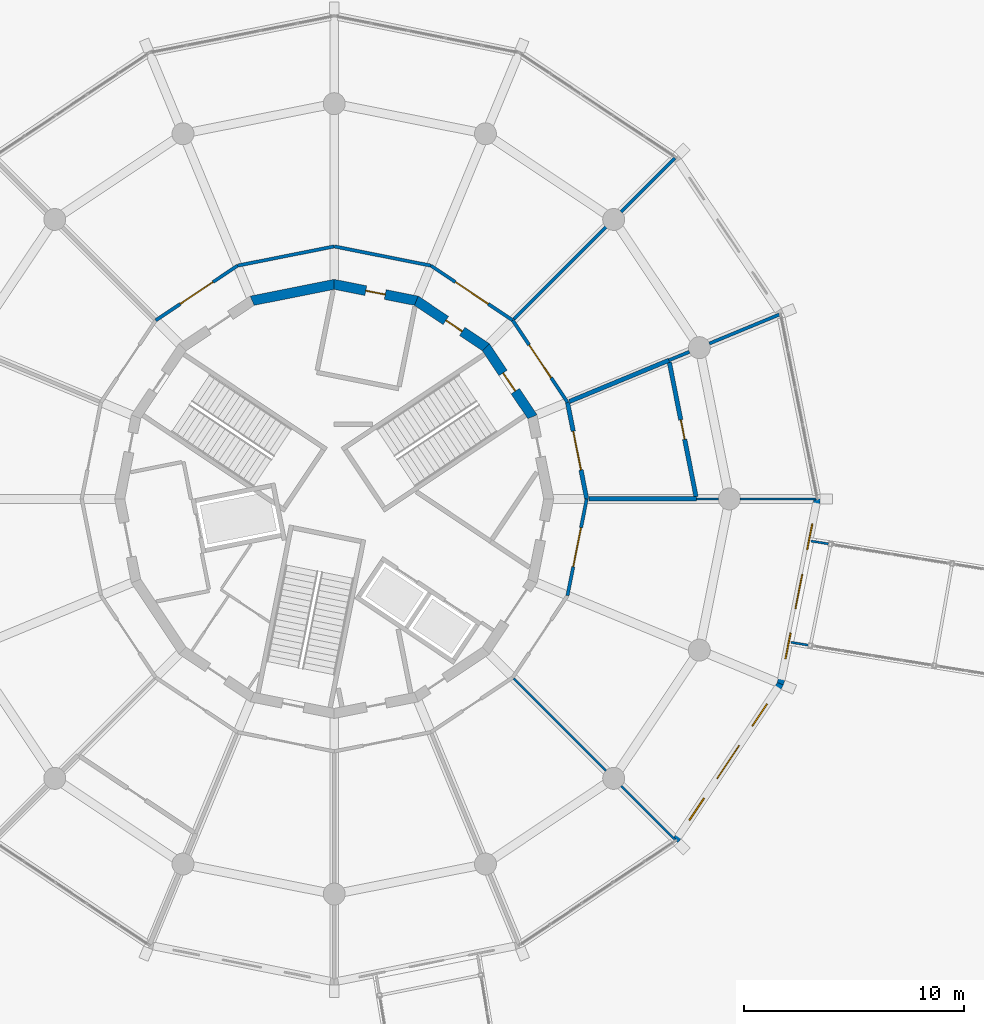
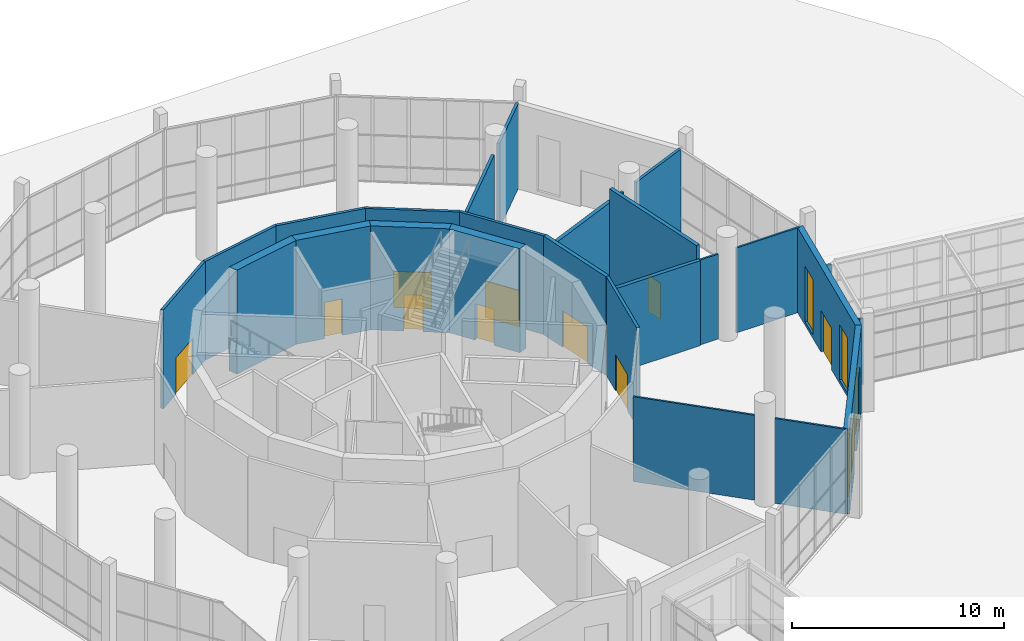
# One storey, part 165 of 226: 26 walls, 11 doors, 4 windows, 15 openings.
"""IFC4 building model written with IfcOpenShell, lengths in metres."""

from ifc_helpers import new_model, si_unit, direction, frame, frame_2d, origin, place, context, subcontext, project, spatial, polyline, rectangle, outline, extrude, material, layer, layer_set, type_object, element, fill, save


model = new_model("IFC4")

# Units and contexts
model_context = context("Model", 3, precision=1e-05, world=origin(), true_north=direction((0.0, 1.0)))
body_context = subcontext(model_context, "Body", "Model", "MODEL_VIEW")
ifc_project = project(units=[si_unit("LENGTHUNIT", "METRE"), si_unit("AREAUNIT", "SQUARE_METRE"), si_unit("VOLUMEUNIT", "CUBIC_METRE"), si_unit("PLANEANGLEUNIT", "RADIAN"), si_unit("MASSUNIT", "GRAM", prefix="KILO")], contexts=[model_context])

# Site, building, storey
site_placement = place(None, origin())
site = spatial("IfcSite", under=ifc_project, at=site_placement, CompositionType="ELEMENT")
building_placement = place(site_placement, origin())
building = spatial("IfcBuilding", under=site, at=building_placement, Name="Ceibo Conservatory and Research Tower", CompositionType="ELEMENT")
storey_placement = place(building_placement, origin())
storey = spatial("IfcBuildingStorey", under=building, at=storey_placement, Name="L00", CompositionType="ELEMENT", Elevation=0.0)

# Wall, opening, door
ifc_material_1 = material(Name="Masonry blockwork", Category="masonry")
ifc_layer_1 = layer(ifc_material_1, 0.199951171875)
ifc_layer_set_1 = layer_set([ifc_layer_1], Name="Masonry blockwork")
wall_type_1 = type_object("IfcWallType", Name="Compartment wall 200 EI 120", PredefinedType="SOLIDWALL", material=ifc_layer_set_1)
wall_1_placement = place(storey_placement, frame((58.62451171875, 124.40087890625, 0.0), z_axis=(0.0, 0.0, 1.0), x_axis=(0.195111553866, -0.980781056887, 0.0)))
wall_1 = element("IfcWall", 1, at=wall_1_placement, inside=storey, type_object=wall_type_1, Name="Partition 00.001", PredefinedType="SOLIDWALL", context=body_context, shape_type="SweptSolid", body=[
    extrude(rectangle(XDim=4.487060546875, YDim=0.199951171875, at=frame_2d((2.24365234375, 0.0))), origin(), (0.0, 0.0, 1.0), 5.699951171875),
])
opening_1_placement = place(wall_1_placement, frame((1.34375, 0.0, 0.0)))
opening_1 = element("IfcOpeningElement", 2, at=opening_1_placement, cuts=wall_1, Name="Opening T00-03", PredefinedType="OPENING", context=body_context, shape_type="SweptSolid", body=[
    extrude(rectangle(XDim=1.800048828125, YDim=2.10009765625, at=frame_2d((0.89990234375, 1.050048828125))), frame((0.0, 0.10986328125, 0.0), z_axis=(0.0, -1.0, 0.0), x_axis=(1.0, 0.0, 0.0)), (0.0, 0.0, 1.0), 0.219970703125),
])
ifc_material_2 = material(Name="Galvanised sheet steel DX51D", Category="steel")
door_type_1 = type_object("IfcDoorType", Name="Door plant double 1800x2100 EI 120", OperationType="DOUBLE_DOOR_SINGLE_SWING", PredefinedType="DOOR", material=ifc_material_2)
door_1_placement = place(opening_1_placement, origin())
door_1 = element("IfcDoor", 3, at=door_1_placement, inside=storey, type_object=door_type_1, Name="Door T00-03", OperationType="DOUBLE_DOOR_SINGLE_SWING", OverallHeight=2.10009765625, OverallWidth=1.800048828125, PredefinedType="DOOR", context=body_context, shape_type="SweptSolid", body=[
    extrude(rectangle(XDim=1.800048828125, YDim=2.10009765625, at=frame_2d((0.89990234375, 1.050048828125))), frame((0.0, 0.02490234375, 0.0), z_axis=(0.0, -1.0, 0.0), x_axis=(1.0, 0.0, 0.0)), (0.0, 0.0, 1.0), 0.050048828125),
])
fill(opening_1, door_1)

# Wall
wall_2_placement = place(storey_placement, frame((59.596923828125, 120.0, 0.0), z_axis=(0.0, 0.0, 1.0), x_axis=(1.0, 0.0, 0.0)))
element("IfcWall", 4, at=wall_2_placement, inside=storey, type_object=wall_type_1, Name="Partition 00.017", PredefinedType="SOLIDWALL", context=body_context, shape_type="SweptSolid", body=[
    extrude(rectangle(XDim=4.903076171875, YDim=0.199951171875, at=frame_2d((2.45166015625, 0.0))), origin(), (0.0, 0.0, 1.0), 4.89990234375),
])

# Wall, opening, door
wall_3_placement = place(storey_placement, frame((63.262939453125, 126.21923828125, 0.0), z_axis=(0.0, 0.0, 1.0), x_axis=(0.195108457486, -0.98078167286, 0.0)))
wall_3 = element("IfcWall", 5, at=wall_3_placement, inside=storey, type_object=wall_type_1, Name="Partition 00.022", PredefinedType="SOLIDWALL", context=body_context, shape_type="SweptSolid", body=[
    extrude(rectangle(XDim=6.244140625, YDim=0.199951171875, at=frame_2d((3.1220703125, 0.0))), origin(), (0.0, 0.0, 1.0), 5.699951171875),
])
opening_2_placement = place(wall_3_placement, frame((2.672119140625, 0.0, 0.0)))
opening_2 = element("IfcOpeningElement", 6, at=opening_2_placement, cuts=wall_3, Name="Opening T00-04", PredefinedType="OPENING", context=body_context, shape_type="SweptSolid", body=[
    extrude(rectangle(XDim=0.89990234375, YDim=2.10009765625, at=frame_2d((0.449951171875, 1.050048828125))), frame((0.0, 0.10986328125, 0.0), z_axis=(0.0, -1.0, 0.0), x_axis=(1.0, 0.0, 0.0)), (0.0, 0.0, 1.0), 0.219970703125),
])
ifc_material_3 = material(Name="Solid timber", Category="wood")
door_type_2 = type_object("IfcDoorType", Name="Door single 900x2100 (right hand)", OperationType="SINGLE_SWING_RIGHT", PredefinedType="DOOR", material=ifc_material_3)
door_2_placement = place(opening_2_placement, origin())
door_2 = element("IfcDoor", 7, at=door_2_placement, inside=storey, type_object=door_type_2, Name="Door T00-04", OperationType="SINGLE_SWING_RIGHT", OverallHeight=2.10009765625, OverallWidth=0.89990234375, PredefinedType="DOOR", context=body_context, shape_type="SweptSolid", body=[
    extrude(rectangle(XDim=0.89990234375, YDim=2.10009765625, at=frame_2d((0.449951171875, 1.050048828125))), frame((0.0, 0.02490234375, 0.0), z_axis=(0.0, -1.0, 0.0), x_axis=(1.0, 0.0, 0.0)), (0.0, 0.0, 1.0), 0.050048828125),
])
fill(opening_2, door_2)

# Wall
wall_4_placement = place(storey_placement, frame((58.714111328125, 124.43798828125, 0.0), z_axis=(0.0, 0.0, 1.0), x_axis=(0.923885138475, 0.382669898091, 0.0)))
element("IfcWall", 8, at=wall_4_placement, inside=storey, type_object=wall_type_1, Name="Partition 00.023", PredefinedType="SOLIDWALL", context=body_context, shape_type="SweptSolid", body=[
    extrude(rectangle(XDim=4.903076171875, YDim=0.199951171875, at=frame_2d((2.45166015625, 0.0))), origin(), (0.0, 0.0, 1.0), 4.89990234375),
])

# Wall, opening, door
ifc_material_4 = material(Name="Concrete C40/50", Category="concrete")
ifc_layer_2 = layer(ifc_material_4, 0.449951171875)
ifc_layer_set_2 = layer_set([ifc_layer_2], Name="Concrete C40/50")
wall_type_2 = type_object("IfcWallType", Name="Core wall 450 C40", PredefinedType="SHEAR", material=ifc_layer_set_2)
wall_5_placement = place(storey_placement, frame((57.02685546875, 123.739013671875, 0.0), z_axis=(0.0, 0.0, 1.0), x_axis=(-0.555542277102, 0.83148829117, 0.0)))
wall_5 = element("IfcWall", 9, at=wall_5_placement, inside=storey, type_object=wall_type_2, Name="Core wall L00 02", PredefinedType="SHEAR", context=body_context, shape_type="SweptSolid", body=[
    extrude(outline(polyline([(-0.044677734375, -0.22509765625), (3.85693359375, -0.22509765625), (3.767578125, 0.22509765625), (0.044677734375, 0.22509765625), (-0.044677734375, -0.22509765625)])), origin(), (0.0, 0.0, 1.0), 6.0),
])
opening_3_placement = place(wall_5_placement, frame((1.40625, 0.0, 0.0)))
opening_3 = element("IfcOpeningElement", 10, at=opening_3_placement, cuts=wall_5, Name="Opening C00-01", PredefinedType="OPENING", context=body_context, shape_type="SweptSolid", body=[
    extrude(rectangle(XDim=1.0, YDim=2.10009765625, at=frame_2d((0.5, 1.050048828125))), frame((0.0, 0.23486328125, 0.0), z_axis=(0.0, -1.0, 0.0), x_axis=(1.0, 0.0, 0.0)), (0.0, 0.0, 1.0), 0.469970703125),
])
door_type_3 = type_object("IfcDoorType", Name="Stair door 1000x2100 EI 120 (right hand)", OperationType="SINGLE_SWING_RIGHT", PredefinedType="DOOR", material=ifc_material_2)
door_3_placement = place(opening_3_placement, origin())
door_3 = element("IfcDoor", 11, at=door_3_placement, inside=storey, type_object=door_type_3, Name="Stair door ST1 00", OperationType="SINGLE_SWING_RIGHT", OverallHeight=2.10009765625, OverallWidth=1.0, PredefinedType="DOOR", context=body_context, shape_type="SweptSolid", body=[
    extrude(rectangle(XDim=1.0, YDim=2.10009765625, at=frame_2d((0.5, 1.050048828125))), frame((0.0, 0.02490234375, 0.0), z_axis=(0.0, -1.0, 0.0), x_axis=(1.0, 0.0, 0.0)), (0.0, 0.0, 1.0), 0.050048828125),
])
fill(opening_3, door_3)

wall_6_placement = place(storey_placement, frame((54.908935546875, 126.908935546875, 0.0), z_axis=(0.0, 0.0, 1.0), x_axis=(-0.83148829117, 0.555542277102, 0.0)))
wall_6 = element("IfcWall", 12, at=wall_6_placement, inside=storey, type_object=wall_type_2, Name="Core wall L00 03", PredefinedType="SHEAR", context=body_context, shape_type="SweptSolid", body=[
    extrude(outline(polyline([(-0.044677734375, -0.22509765625), (3.85693359375, -0.22509765625), (3.767578125, 0.22509765625), (0.044677734375, 0.22509765625), (-0.044677734375, -0.22509765625)])), origin(), (0.0, 0.0, 1.0), 6.0),
])
opening_4_placement = place(wall_6_placement, frame((1.294677734375, 0.0, 0.0)))
opening_4 = element("IfcOpeningElement", 13, at=opening_4_placement, cuts=wall_6, Name="Opening C00-09", PredefinedType="OPENING", context=body_context, shape_type="SweptSolid", body=[
    extrude(rectangle(XDim=0.89990234375, YDim=2.10009765625, at=frame_2d((0.449951171875, 1.050048828125))), frame((0.0, 0.23486328125, 0.0), z_axis=(0.0, -1.0, 0.0), x_axis=(1.0, 0.0, 0.0)), (0.0, 0.0, 1.0), 0.469970703125),
])
door_type_4 = type_object("IfcDoorType", Name="Riser door 900x2100 EI 60 (right hand)", OperationType="SINGLE_SWING_RIGHT", PredefinedType="DOOR", material=ifc_material_2)
door_4_placement = place(opening_4_placement, frame((0.89990234375, 0.0, 0.0), z_axis=(0.0, 0.0, 1.0), x_axis=(-1.0, 0.0, 0.0)))
door_4 = element("IfcDoor", 14, at=door_4_placement, inside=storey, type_object=door_type_4, Name="Communications Riser door 00", OperationType="SINGLE_SWING_RIGHT", OverallHeight=2.10009765625, OverallWidth=0.89990234375, PredefinedType="DOOR", context=body_context, shape_type="SweptSolid", body=[
    extrude(rectangle(XDim=0.89990234375, YDim=2.10009765625, at=frame_2d((0.449951171875, 1.050048828125))), frame((0.0, 0.02490234375, 0.0), z_axis=(0.0, -1.0, 0.0), x_axis=(1.0, 0.0, 0.0)), (0.0, 0.0, 1.0), 0.050048828125),
])
fill(opening_4, door_4)

wall_7_placement = place(storey_placement, frame((51.739013671875, 129.02685546875, 0.0), z_axis=(0.0, 0.0, 1.0), x_axis=(-0.98078948206, 0.195069197673, 0.0)))
wall_7 = element("IfcWall", 15, at=wall_7_placement, inside=storey, type_object=wall_type_2, Name="Core wall L00 04", PredefinedType="SHEAR", context=body_context, shape_type="SweptSolid", body=[
    extrude(outline(polyline([(-0.044677734375, -0.22509765625), (3.85693359375, -0.22509765625), (3.767578125, 0.22509765625), (0.044677734375, 0.22509765625), (-0.044677734375, -0.22509765625)])), origin(), (0.0, 0.0, 1.0), 6.0),
])
opening_5_placement = place(wall_7_placement, frame((1.444580078125, 0.0, 0.0)))
opening_5 = element("IfcOpeningElement", 16, at=opening_5_placement, cuts=wall_7, Name="Opening C00-07", PredefinedType="OPENING", context=body_context, shape_type="SweptSolid", body=[
    extrude(rectangle(XDim=0.89990234375, YDim=2.10009765625, at=frame_2d((0.449951171875, 1.050048828125))), frame((0.0, 0.23486328125, 0.0), z_axis=(0.0, -1.0, 0.0), x_axis=(1.0, 0.0, 0.0)), (0.0, 0.0, 1.0), 0.469970703125),
])
door_5_placement = place(opening_5_placement, frame((0.89990234375, 0.0, 0.0), z_axis=(0.0, 0.0, 1.0), x_axis=(-1.0, 0.0, 0.0)))
door_5 = element("IfcDoor", 17, at=door_5_placement, inside=storey, type_object=door_type_4, Name="Electrical Riser door 00", OperationType="SINGLE_SWING_RIGHT", OverallHeight=2.10009765625, OverallWidth=0.89990234375, PredefinedType="DOOR", context=body_context, shape_type="SweptSolid", body=[
    extrude(rectangle(XDim=0.89990234375, YDim=2.10009765625, at=frame_2d((0.449951171875, 1.050048828125))), frame((0.0, 0.02490234375, 0.0), z_axis=(0.0, -1.0, 0.0), x_axis=(1.0, 0.0, 0.0)), (0.0, 0.0, 1.0), 0.050048828125),
])
fill(opening_5, door_5)

# Wall
wall_8_placement = place(storey_placement, frame((48.0, 129.7705078125, 0.0), z_axis=(0.0, 0.0, 1.0), x_axis=(-0.98078948206, -0.195069197673, 0.0)))
element("IfcWall", 18, at=wall_8_placement, inside=storey, type_object=wall_type_2, Name="Core wall L00 05", PredefinedType="SHEAR", context=body_context, shape_type="SweptSolid", body=[
    extrude(outline(polyline([(-0.044677734375, -0.22509765625), (3.85693359375, -0.22509765625), (3.767578125, 0.22509765625), (0.044677734375, 0.22509765625), (-0.044677734375, -0.22509765625)])), origin(), (0.0, 0.0, 1.0), 6.0),
])

# Wall, opening, door
ifc_material_5 = material(Name="Plasterboard on metal studs, fire board")
ifc_layer_3 = layer(ifc_material_5, 0.14990234375)
ifc_layer_set_3 = layer_set([ifc_layer_3], Name="Plasterboard on metal studs, fire board")
wall_type_3 = type_object("IfcWallType", Name="Corridor wall 150 EI 60", PredefinedType="PARTITIONING", material=ifc_layer_set_3)
wall_9_placement = place(storey_placement, frame((56.131591796875, 128.131591796875, 0.0), z_axis=(0.0, 0.0, 1.0), x_axis=(0.555591382192, -0.831455480489, 0.0)))
wall_9 = element("IfcWall", 19, at=wall_9_placement, inside=storey, type_object=wall_type_3, Name="Partition 00.002", PredefinedType="PARTITIONING", context=body_context, shape_type="SweptSolid", body=[
    extrude(rectangle(XDim=4.487060546875, YDim=0.14990234375, at=frame_2d((2.24365234375, 0.0))), origin(), (0.0, 0.0, 1.0), 5.699951171875),
])
opening_6_placement = place(wall_9_placement, frame((1.343505859375, 0.0, 0.0)))
opening_6 = element("IfcOpeningElement", 20, at=opening_6_placement, cuts=wall_9, Name="Opening T00-05", PredefinedType="OPENING", context=body_context, shape_type="SweptSolid", body=[
    extrude(rectangle(XDim=1.800048828125, YDim=2.10009765625, at=frame_2d((0.89990234375, 1.050048828125))), frame((0.0, 0.0849609375, 0.0), z_axis=(0.0, -1.0, 0.0), x_axis=(1.0, 0.0, 0.0)), (0.0, 0.0, 1.0), 0.169921875),
])
door_type_5 = type_object("IfcDoorType", Name="Door fire double 1800x2100 EI 60", OperationType="DOUBLE_DOOR_SINGLE_SWING", PredefinedType="DOOR", material=ifc_material_2)
door_6_placement = place(opening_6_placement, origin())
door_6 = element("IfcDoor", 21, at=door_6_placement, inside=storey, type_object=door_type_5, Name="Door T00-05", OperationType="DOUBLE_DOOR_SINGLE_SWING", OverallHeight=2.10009765625, OverallWidth=1.800048828125, PredefinedType="DOOR", context=body_context, shape_type="SweptSolid", body=[
    extrude(rectangle(XDim=1.800048828125, YDim=2.10009765625, at=frame_2d((0.89990234375, 1.050048828125))), frame((0.0, 0.02490234375, 0.0), z_axis=(0.0, -1.0, 0.0), x_axis=(1.0, 0.0, 0.0)), (0.0, 0.0, 1.0), 0.050048828125),
])
fill(opening_6, door_6)

# Wall
wall_10_placement = place(storey_placement, frame((48.0, 131.5, 0.0), z_axis=(0.0, 0.0, 1.0), x_axis=(0.980781056887, -0.195111553866, 0.0)))
element("IfcWall", 22, at=wall_10_placement, inside=storey, type_object=wall_type_3, Name="Partition 00.003", PredefinedType="PARTITIONING", context=body_context, shape_type="SweptSolid", body=[
    extrude(rectangle(XDim=4.487060546875, YDim=0.14990234375, at=frame_2d((2.24365234375, 0.0))), origin(), (0.0, 0.0, 1.0), 5.699951171875),
])

# Wall, opening, door
wall_11_placement = place(storey_placement, frame((52.40087890625, 130.62451171875, 0.0), z_axis=(0.0, 0.0, 1.0), x_axis=(0.831455480489, -0.555591382192, 0.0)))
wall_11 = element("IfcWall", 23, at=wall_11_placement, inside=storey, type_object=wall_type_3, Name="Partition 00.004", PredefinedType="PARTITIONING", context=body_context, shape_type="SweptSolid", body=[
    extrude(rectangle(XDim=4.487060546875, YDim=0.14990234375, at=frame_2d((2.24365234375, 0.0))), origin(), (0.0, 0.0, 1.0), 5.699951171875),
])
opening_7_placement = place(wall_11_placement, frame((1.343505859375, 0.0, 0.0)))
opening_7 = element("IfcOpeningElement", 24, at=opening_7_placement, cuts=wall_11, Name="Opening T00-06", PredefinedType="OPENING", context=body_context, shape_type="SweptSolid", body=[
    extrude(rectangle(XDim=1.800048828125, YDim=2.10009765625, at=frame_2d((0.89990234375, 1.050048828125))), frame((0.0, 0.0849609375, 0.0), z_axis=(0.0, -1.0, 0.0), x_axis=(1.0, 0.0, 0.0)), (0.0, 0.0, 1.0), 0.169921875),
])
door_7_placement = place(opening_7_placement, origin())
door_7 = element("IfcDoor", 25, at=door_7_placement, inside=storey, type_object=door_type_5, Name="Door T00-06", OperationType="DOUBLE_DOOR_SINGLE_SWING", OverallHeight=2.10009765625, OverallWidth=1.800048828125, PredefinedType="DOOR", context=body_context, shape_type="SweptSolid", body=[
    extrude(rectangle(XDim=1.800048828125, YDim=2.10009765625, at=frame_2d((0.89990234375, 1.050048828125))), frame((0.0, 0.02490234375, 0.0), z_axis=(0.0, -1.0, 0.0), x_axis=(1.0, 0.0, 0.0)), (0.0, 0.0, 1.0), 0.050048828125),
])
fill(opening_7, door_7)

wall_12_placement = place(storey_placement, frame((39.868408203125, 128.131591796875, 0.0), z_axis=(0.0, 0.0, 1.0), x_axis=(0.831455480489, 0.555591382192, 0.0)))
wall_12 = element("IfcWall", 26, at=wall_12_placement, inside=storey, type_object=wall_type_3, Name="Partition 00.005", PredefinedType="PARTITIONING", context=body_context, shape_type="SweptSolid", body=[
    extrude(rectangle(XDim=4.487060546875, YDim=0.14990234375, at=frame_2d((2.24365234375, 0.0))), origin(), (0.0, 0.0, 1.0), 5.699951171875),
])
opening_8_placement = place(wall_12_placement, frame((1.343505859375, 0.0, 0.0)))
opening_8 = element("IfcOpeningElement", 27, at=opening_8_placement, cuts=wall_12, Name="Opening T00-07", PredefinedType="OPENING", context=body_context, shape_type="SweptSolid", body=[
    extrude(rectangle(XDim=1.800048828125, YDim=2.10009765625, at=frame_2d((0.89990234375, 1.050048828125))), frame((0.0, 0.0849609375, 0.0), z_axis=(0.0, -1.0, 0.0), x_axis=(1.0, 0.0, 0.0)), (0.0, 0.0, 1.0), 0.169921875),
])
door_8_placement = place(opening_8_placement, origin())
door_8 = element("IfcDoor", 28, at=door_8_placement, inside=storey, type_object=door_type_5, Name="Door T00-07", OperationType="DOUBLE_DOOR_SINGLE_SWING", OverallHeight=2.10009765625, OverallWidth=1.800048828125, PredefinedType="DOOR", context=body_context, shape_type="SweptSolid", body=[
    extrude(rectangle(XDim=1.800048828125, YDim=2.10009765625, at=frame_2d((0.89990234375, 1.050048828125))), frame((0.0, 0.02490234375, 0.0), z_axis=(0.0, -1.0, 0.0), x_axis=(1.0, 0.0, 0.0)), (0.0, 0.0, 1.0), 0.050048828125),
])
fill(opening_8, door_8)

# Wall
wall_13_placement = place(storey_placement, frame((43.59912109375, 130.62451171875, 0.0), z_axis=(0.0, 0.0, 1.0), x_axis=(0.980781056887, 0.195111553866, 0.0)))
element("IfcWall", 29, at=wall_13_placement, inside=storey, type_object=wall_type_3, Name="Partition 00.006", PredefinedType="PARTITIONING", context=body_context, shape_type="SweptSolid", body=[
    extrude(rectangle(XDim=4.487060546875, YDim=0.14990234375, at=frame_2d((2.24365234375, 0.0))), origin(), (0.0, 0.0, 1.0), 5.699951171875),
])

# Wall, opening, door
wall_14_placement = place(storey_placement, frame((59.5, 120.0, 0.0), z_axis=(0.0, 0.0, 1.0), x_axis=(-0.195111553866, -0.980781056887, 0.0)))
wall_14 = element("IfcWall", 30, at=wall_14_placement, inside=storey, type_object=wall_type_3, Name="Partition 00.013", PredefinedType="PARTITIONING", context=body_context, shape_type="SweptSolid", body=[
    extrude(rectangle(XDim=4.487060546875, YDim=0.14990234375, at=frame_2d((2.24365234375, 0.0))), origin(), (0.0, 0.0, 1.0), 5.699951171875),
])
opening_9_placement = place(wall_14_placement, frame((1.34375, 0.0, 0.0)))
opening_9 = element("IfcOpeningElement", 31, at=opening_9_placement, cuts=wall_14, Name="Opening T00-02", PredefinedType="OPENING", context=body_context, shape_type="SweptSolid", body=[
    extrude(rectangle(XDim=1.800048828125, YDim=2.10009765625, at=frame_2d((0.89990234375, 1.050048828125))), frame((0.0, 0.0849609375, 0.0), z_axis=(0.0, -1.0, 0.0), x_axis=(1.0, 0.0, 0.0)), (0.0, 0.0, 1.0), 0.169921875),
])
door_9_placement = place(opening_9_placement, frame((1.800048828125, 0.0, 0.0), z_axis=(0.0, 0.0, 1.0), x_axis=(-1.0, 0.0, 0.0)))
door_9 = element("IfcDoor", 32, at=door_9_placement, inside=storey, type_object=door_type_5, Name="Door T00-02", OperationType="DOUBLE_DOOR_SINGLE_SWING", OverallHeight=2.10009765625, OverallWidth=1.800048828125, PredefinedType="DOOR", context=body_context, shape_type="SweptSolid", body=[
    extrude(rectangle(XDim=1.800048828125, YDim=2.10009765625, at=frame_2d((0.89990234375, 1.050048828125))), frame((0.0, 0.02490234375, 0.0), z_axis=(0.0, -1.0, 0.0), x_axis=(1.0, 0.0, 0.0)), (0.0, 0.0, 1.0), 0.050048828125),
])
fill(opening_9, door_9)

# Walls
wall_15_placement = place(storey_placement, frame((63.243896484375, 126.314208984375, 0.0), z_axis=(0.0, 0.0, 1.0), x_axis=(0.923925533714, 0.382572356754, 0.0)))
element("IfcWall", 33, at=wall_15_placement, inside=storey, type_object=wall_type_3, Name="Partition 00.024", PredefinedType="PARTITIONING", context=body_context, shape_type="SweptSolid", body=[
    extrude(rectangle(XDim=1.01025390625, YDim=0.14990234375, at=frame_2d((0.505126953125, 0.0))), origin(), (0.0, 0.0, 1.0), 4.89990234375),
])
wall_16_placement = place(storey_placement, frame((65.08251953125, 127.075927734375, 0.0), z_axis=(0.0, 0.0, 1.0), x_axis=(0.923891721509, 0.382654004196, 0.0)))
element("IfcWall", 34, at=wall_16_placement, inside=storey, type_object=wall_type_3, Name="Partition 00.025", PredefinedType="PARTITIONING", context=body_context, shape_type="SweptSolid", body=[
    extrude(rectangle(XDim=3.448486328125, YDim=0.14990234375, at=frame_2d((1.72412109375, 0.0))), origin(), (0.0, 0.0, 1.0), 4.89990234375),
])
wall_17_placement = place(storey_placement, frame((56.18212890625, 128.18212890625, 0.0), z_axis=(0.0, 0.0, 1.0), x_axis=(0.707106781187, 0.707106781187, 0.0)))
element("IfcWall", 35, at=wall_17_placement, inside=storey, type_object=wall_type_3, Name="Partition 00.026", PredefinedType="PARTITIONING", context=body_context, shape_type="SweptSolid", body=[
    extrude(rectangle(XDim=5.9384765625, YDim=0.14990234375, at=frame_2d((2.96923828125, 0.0))), origin(), (0.0, 0.0, 1.0), 4.89990234375),
])
wall_18_placement = place(storey_placement, frame((61.074462890625, 133.074462890625, 0.0), z_axis=(0.0, 0.0, 1.0), x_axis=(0.707106781187, 0.707106781187, 0.0)))
element("IfcWall", 36, at=wall_18_placement, inside=storey, type_object=wall_type_3, Name="Partition 00.027", PredefinedType="PARTITIONING", context=body_context, shape_type="SweptSolid", body=[
    extrude(rectangle(XDim=3.448486328125, YDim=0.14990234375, at=frame_2d((1.72412109375, 0.0))), origin(), (0.0, 0.0, 1.0), 4.89990234375),
])

# Wall, openings, door, windows
ifc_material_6 = material(Name="Ceramic mosaic tessera")
ifc_layer_4 = layer(ifc_material_6, 0.010009765625, Name="Ceramic mosaic")
ifc_material_7 = material(Name="Polymer-modified bedding mortar")
ifc_layer_5 = layer(ifc_material_7, 0.014892578125, Name="Bedding mortar")
ifc_material_8 = material(Name="Mineral wool insulation")
ifc_layer_6 = layer(ifc_material_8, 0.050048828125, Name="Insulation")
ifc_material_9 = material(Name="Concrete C30/37", Category="concrete")
ifc_layer_7 = layer(ifc_material_9, 0.215087890625, Name="Reinforced concrete leaf")
ifc_material_10 = material(Name="Gypsum plaster")
ifc_layer_8 = layer(ifc_material_10, 0.010009765625, Name="Internal plaster")
ifc_layer_set_4 = layer_set([ifc_layer_4, ifc_layer_5, ifc_layer_6, ifc_layer_7, ifc_layer_8], Name="Concrete C30/37")
wall_type_4 = type_object("IfcWallType", Name="Facade panel wall 300", PredefinedType="SOLIDWALL", material=ifc_layer_set_4)
wall_19_placement = place(storey_placement, frame((63.556396484375, 104.443603515625, 0.0), z_axis=(0.0, 0.0, 1.0), x_axis=(0.555566251771, 0.831472272474, 0.0)))
wall_19 = element("IfcWall", 37, at=wall_19_placement, inside=storey, type_object=wall_type_4, Name="Facade wall L00 facet 15", PredefinedType="SOLIDWALL", context=body_context, shape_type="SweptSolid", body=[
    extrude(outline(polyline([(-0.02978515625, -0.14990234375), (8.614013671875, -0.14990234375), (8.554443359375, 0.14990234375), (0.02978515625, 0.14990234375), (-0.02978515625, -0.14990234375)])), origin(), (0.0, 0.0, 1.0), 4.89990234375),
])
opening_10_placement = place(wall_19_placement, frame((3.39208984375, 0.0, 0.0)))
opening_10 = element("IfcOpeningElement", 38, at=opening_10_placement, cuts=wall_19, Name="Opening E00.05", PredefinedType="OPENING", context=body_context, shape_type="SweptSolid", body=[
    extrude(rectangle(XDim=1.800048828125, YDim=2.10009765625, at=frame_2d((0.89990234375, 1.050048828125))), frame((0.0, 0.159912109375, 0.0), z_axis=(0.0, -1.0, 0.0), x_axis=(1.0, 0.0, 0.0)), (0.0, 0.0, 1.0), 0.320068359375),
])
opening_11_placement = place(wall_19_placement, frame((1.11083984375, 0.0, 0.199951171875)))
opening_11 = element("IfcOpeningElement", 39, at=opening_11_placement, cuts=wall_19, Name="Opening SW4", PredefinedType="OPENING", context=body_context, shape_type="SweptSolid", body=[
    extrude(rectangle(XDim=1.199951171875, YDim=3.199951171875, at=frame_2d((0.60009765625, 1.60009765625))), frame((0.0, 0.159912109375, 0.0), z_axis=(0.0, -1.0, 0.0), x_axis=(1.0, 0.0, 0.0)), (0.0, 0.0, 1.0), 0.320068359375),
])
opening_12_placement = place(wall_19_placement, frame((6.273193359375, 0.0, 0.199951171875)))
opening_12 = element("IfcOpeningElement", 40, at=opening_12_placement, cuts=wall_19, Name="Opening SW4", PredefinedType="OPENING", context=body_context, shape_type="SweptSolid", body=[
    extrude(rectangle(XDim=1.199951171875, YDim=3.199951171875, at=frame_2d((0.60009765625, 1.60009765625))), frame((0.0, 0.159912109375, 0.0), z_axis=(0.0, -1.0, 0.0), x_axis=(1.0, 0.0, 0.0)), (0.0, 0.0, 1.0), 0.320068359375),
])
ifc_material_11 = material(Name="Aluminium and glass", Category="aluminium")
door_type_6 = type_object("IfcDoorType", Name="Exterior entrance double door 1800 x 2100", OperationType="DOUBLE_DOOR_SINGLE_SWING", PredefinedType="DOOR", material=ifc_material_11)
door_10_placement = place(opening_10_placement, frame((1.800048828125, 0.0, 0.0), z_axis=(0.0, 0.0, 1.0), x_axis=(-1.0, 0.0, 0.0)))
door_10 = element("IfcDoor", 41, at=door_10_placement, inside=storey, type_object=door_type_6, Name="Research Entrance", OperationType="DOUBLE_DOOR_SINGLE_SWING", OverallHeight=2.10009765625, OverallWidth=1.800048828125, PredefinedType="DOOR", context=body_context, shape_type="SweptSolid", body=[
    extrude(rectangle(XDim=1.800048828125, YDim=2.10009765625, at=frame_2d((0.89990234375, 1.050048828125))), frame((0.0, 0.02490234375, 0.0), z_axis=(0.0, -1.0, 0.0), x_axis=(1.0, 0.0, 0.0)), (0.0, 0.0, 1.0), 0.050048828125),
])
fill(opening_10, door_10)
ifc_material_12 = material(Name="Aluminium frame with double glazing", Category="aluminium")
window_type = type_object("IfcWindowType", Name="Shopfront window SW2 1200 x 3200", PartitioningType="SINGLE_PANEL", PredefinedType="WINDOW", material=ifc_material_12)
window_1_placement = place(opening_11_placement, origin())
window_1 = element("IfcWindow", 42, at=window_1_placement, inside=storey, type_object=window_type, Name="T.L00.F14.WIN.1", OverallHeight=3.199951171875, OverallWidth=1.199951171875, PartitioningType="SINGLE_PANEL", PredefinedType="WINDOW", context=body_context, shape_type="SweptSolid", body=[
    extrude(rectangle(XDim=1.199951171875, YDim=3.199951171875, at=frame_2d((0.60009765625, 1.60009765625))), frame((0.0, 0.030029296875, 0.0), z_axis=(0.0, -1.0, 0.0), x_axis=(1.0, 0.0, 0.0)), (0.0, 0.0, 1.0), 0.06005859375),
])
fill(opening_11, window_1)
window_2_placement = place(opening_12_placement, origin())
window_2 = element("IfcWindow", 43, at=window_2_placement, inside=storey, type_object=window_type, Name="T.L00.F14.WIN.2", OverallHeight=3.199951171875, OverallWidth=1.199951171875, PartitioningType="SINGLE_PANEL", PredefinedType="WINDOW", context=body_context, shape_type="SweptSolid", body=[
    extrude(rectangle(XDim=1.199951171875, YDim=3.199951171875, at=frame_2d((0.60009765625, 1.60009765625))), frame((0.0, 0.030029296875, 0.0), z_axis=(0.0, -1.0, 0.0), x_axis=(1.0, 0.0, 0.0)), (0.0, 0.0, 1.0), 0.06005859375),
])
fill(opening_12, window_2)

wall_20_placement = place(storey_placement, frame((68.325439453125, 111.5810546875, 0.0), z_axis=(0.0, 0.0, 1.0), x_axis=(0.195082276278, 0.980786880766, 0.0)))
wall_20 = element("IfcWall", 44, at=wall_20_placement, inside=storey, type_object=wall_type_4, Name="Facade wall L00 facet 16", PredefinedType="SOLIDWALL", context=body_context, shape_type="SweptSolid", body=[
    extrude(outline(polyline([(-0.02978515625, -0.14990234375), (8.61376953125, -0.14990234375), (8.55419921875, 0.14990234375), (0.02978515625, 0.14990234375), (-0.02978515625, -0.14990234375)])), origin(), (0.0, 0.0, 1.0), 4.89990234375),
])
opening_13_placement = place(wall_20_placement, frame((3.491943359375, 0.0, 0.0)))
opening_13 = element("IfcOpeningElement", 45, at=opening_13_placement, cuts=wall_20, Name="Opening E00.06", PredefinedType="OPENING", context=body_context, shape_type="SweptSolid", body=[
    extrude(rectangle(XDim=1.60009765625, YDim=2.39990234375, at=frame_2d((0.800048828125, 1.199951171875))), frame((0.0, 0.159912109375, 0.0), z_axis=(0.0, -1.0, 0.0), x_axis=(1.0, 0.0, 0.0)), (0.0, 0.0, 1.0), 0.320068359375),
])
opening_14_placement = place(wall_20_placement, frame((1.160888671875, 0.0, 0.199951171875)))
opening_14 = element("IfcOpeningElement", 46, at=opening_14_placement, cuts=wall_20, Name="Opening SW4", PredefinedType="OPENING", context=body_context, shape_type="SweptSolid", body=[
    extrude(rectangle(XDim=1.199951171875, YDim=3.199951171875, at=frame_2d((0.60009765625, 1.60009765625))), frame((0.0, 0.159912109375, 0.0), z_axis=(0.0, -1.0, 0.0), x_axis=(1.0, 0.0, 0.0)), (0.0, 0.0, 1.0), 0.320068359375),
])
opening_15_placement = place(wall_20_placement, frame((6.22314453125, 0.0, 0.199951171875)))
opening_15 = element("IfcOpeningElement", 47, at=opening_15_placement, cuts=wall_20, Name="Opening SW4", PredefinedType="OPENING", context=body_context, shape_type="SweptSolid", body=[
    extrude(rectangle(XDim=1.199951171875, YDim=3.199951171875, at=frame_2d((0.60009765625, 1.60009765625))), frame((0.0, 0.159912109375, 0.0), z_axis=(0.0, -1.0, 0.0), x_axis=(1.0, 0.0, 0.0)), (0.0, 0.0, 1.0), 0.320068359375),
])
door_type_7 = type_object("IfcDoorType", Name="Exterior gallery link double door 1600 x 2400", OperationType="DOUBLE_DOOR_DOUBLE_SWING", PredefinedType="DOOR", material=ifc_material_11)
door_11_placement = place(opening_13_placement, origin())
door_11 = element("IfcDoor", 48, at=door_11_placement, inside=storey, type_object=door_type_7, Name="Passage Door", OperationType="DOUBLE_DOOR_DOUBLE_SWING", OverallHeight=2.39990234375, OverallWidth=1.60009765625, PredefinedType="DOOR", context=body_context, shape_type="SweptSolid", body=[
    extrude(rectangle(XDim=1.60009765625, YDim=2.39990234375, at=frame_2d((0.800048828125, 1.199951171875))), frame((0.0, 0.02490234375, 0.0), z_axis=(0.0, -1.0, 0.0), x_axis=(1.0, 0.0, 0.0)), (0.0, 0.0, 1.0), 0.050048828125),
])
fill(opening_13, door_11)
window_3_placement = place(opening_14_placement, origin())
window_3 = element("IfcWindow", 49, at=window_3_placement, inside=storey, type_object=window_type, Name="T.L00.F15.WIN.1", OverallHeight=3.199951171875, OverallWidth=1.199951171875, PartitioningType="SINGLE_PANEL", PredefinedType="WINDOW", context=body_context, shape_type="SweptSolid", body=[
    extrude(rectangle(XDim=1.199951171875, YDim=3.199951171875, at=frame_2d((0.60009765625, 1.60009765625))), frame((0.0, 0.030029296875, 0.0), z_axis=(0.0, -1.0, 0.0), x_axis=(1.0, 0.0, 0.0)), (0.0, 0.0, 1.0), 0.06005859375),
])
fill(opening_14, window_3)
window_4_placement = place(opening_15_placement, origin())
window_4 = element("IfcWindow", 50, at=window_4_placement, inside=storey, type_object=window_type, Name="T.L00.F15.WIN.2", OverallHeight=3.199951171875, OverallWidth=1.199951171875, PartitioningType="SINGLE_PANEL", PredefinedType="WINDOW", context=body_context, shape_type="SweptSolid", body=[
    extrude(rectangle(XDim=1.199951171875, YDim=3.199951171875, at=frame_2d((0.60009765625, 1.60009765625))), frame((0.0, 0.030029296875, 0.0), z_axis=(0.0, -1.0, 0.0), x_axis=(1.0, 0.0, 0.0)), (0.0, 0.0, 1.0), 0.06005859375),
])
fill(opening_15, window_4)

# Walls
ifc_layer_9 = layer(ifc_material_11, 0.10009765625)
ifc_layer_set_5 = layer_set([ifc_layer_9], Name="Aluminium and glass")
wall_type_5 = type_object("IfcWallType", Name="Gallery end infill wall 100", PredefinedType="PARTITIONING", material=ifc_layer_set_5)
wall_21_placement = place(storey_placement, frame((69.59033203125, 113.341064453125, 0.0), z_axis=(0.0, 0.0, 1.0), x_axis=(-0.987208512097, 0.15943448072, 0.0)))
element("IfcWall", 51, at=wall_21_placement, inside=storey, type_object=wall_type_5, Name="Gallery end infill A-RT-CKN1", PredefinedType="PARTITIONING", context=body_context, shape_type="SweptSolid", body=[
    extrude(rectangle(XDim=0.7978515625, YDim=0.10009765625, at=frame_2d((0.39892578125, 0.0))), origin(), (0.0, 0.0, 1.0), 3.800048828125),
])
wall_22_placement = place(storey_placement, frame((70.508056640625, 117.95361328125, 0.0), z_axis=(0.0, 0.0, 1.0), x_axis=(-0.98721628731, 0.159386329621, 0.0)))
element("IfcWall", 52, at=wall_22_placement, inside=storey, type_object=wall_type_5, Name="Gallery end infill A-RT-CKS1", PredefinedType="PARTITIONING", context=body_context, shape_type="SweptSolid", body=[
    extrude(rectangle(XDim=0.798095703125, YDim=0.10009765625, at=frame_2d((0.39892578125, 0.0))), origin(), (0.0, 0.0, 1.0), 3.800048828125),
])
ifc_material_13 = material(Name="Plasterboard on metal studs")
ifc_layer_10 = layer(ifc_material_13, 0.10009765625)
ifc_layer_set_6 = layer_set([ifc_layer_10], Name="Plasterboard on metal studs")
wall_type_6 = type_object("IfcWallType", Name="Partition 100", PredefinedType="PARTITIONING", material=ifc_layer_set_6)
wall_23_placement = place(storey_placement, frame((64.5, 120.0, 0.0), z_axis=(0.0, 0.0, 1.0), x_axis=(1.0, 0.0, 0.0)))
element("IfcWall", 53, at=wall_23_placement, inside=storey, type_object=wall_type_6, Name="Partition 00.018", PredefinedType="PARTITIONING", context=body_context, shape_type="SweptSolid", body=[
    extrude(rectangle(XDim=1.010009765625, YDim=0.10009765625, at=frame_2d((0.5048828125, 0.0))), origin(), (0.0, 0.0, 1.0), 4.89990234375),
])
wall_24_placement = place(storey_placement, frame((66.489990234375, 120.0, 0.0), z_axis=(0.0, 0.0, 1.0), x_axis=(1.0, 0.0, 0.0)))
element("IfcWall", 54, at=wall_24_placement, inside=storey, type_object=wall_type_6, Name="Partition 00.019", PredefinedType="PARTITIONING", context=body_context, shape_type="SweptSolid", body=[
    extrude(rectangle(XDim=3.448486328125, YDim=0.10009765625, at=frame_2d((1.72412109375, 0.0))), origin(), (0.0, 0.0, 1.0), 4.89990234375),
])
wall_25_placement = place(storey_placement, frame((60.38134765625, 107.61865234375, 0.0), z_axis=(0.0, 0.0, 1.0), x_axis=(-0.707106781187, 0.707106781187, 0.0)))
element("IfcWall", 55, at=wall_25_placement, inside=storey, type_object=wall_type_6, Name="Partition 00.020", PredefinedType="PARTITIONING", context=body_context, shape_type="SweptSolid", body=[
    extrude(rectangle(XDim=5.9384765625, YDim=0.10009765625, at=frame_2d((2.96923828125, 0.0))), origin(), (0.0, 0.0, 1.0), 4.89990234375),
])
wall_26_placement = place(storey_placement, frame((63.512939453125, 104.487060546875, 0.0), z_axis=(0.0, 0.0, 1.0), x_axis=(-0.707106781187, 0.707106781187, 0.0)))
element("IfcWall", 56, at=wall_26_placement, inside=storey, type_object=wall_type_6, Name="Partition 00.021", PredefinedType="PARTITIONING", context=body_context, shape_type="SweptSolid", body=[
    extrude(rectangle(XDim=3.448486328125, YDim=0.10009765625, at=frame_2d((1.72412109375, 0.0))), origin(), (0.0, 0.0, 1.0), 4.89990234375),
])

save(model, "model.ifc")
